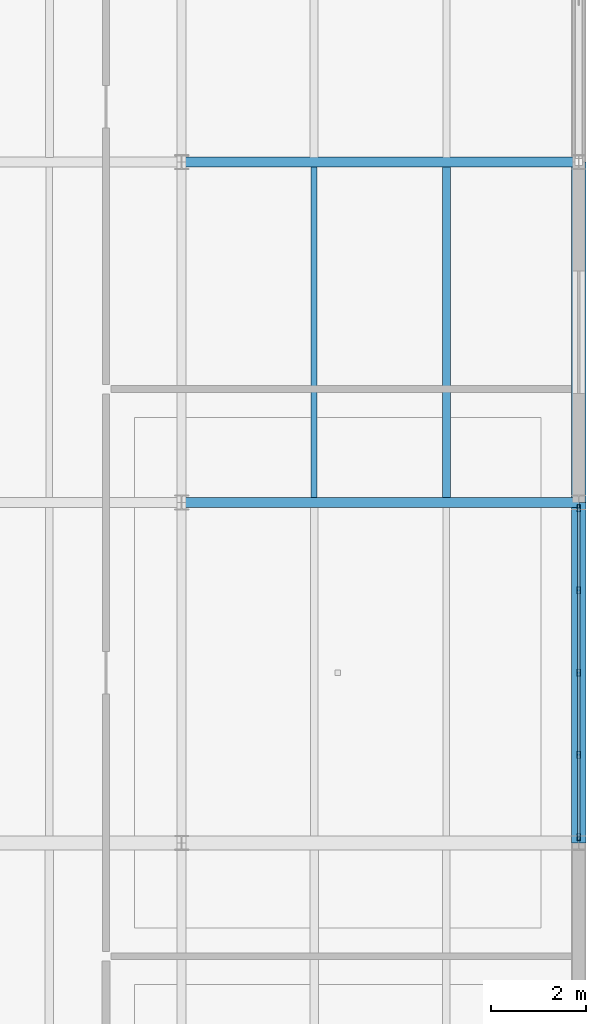
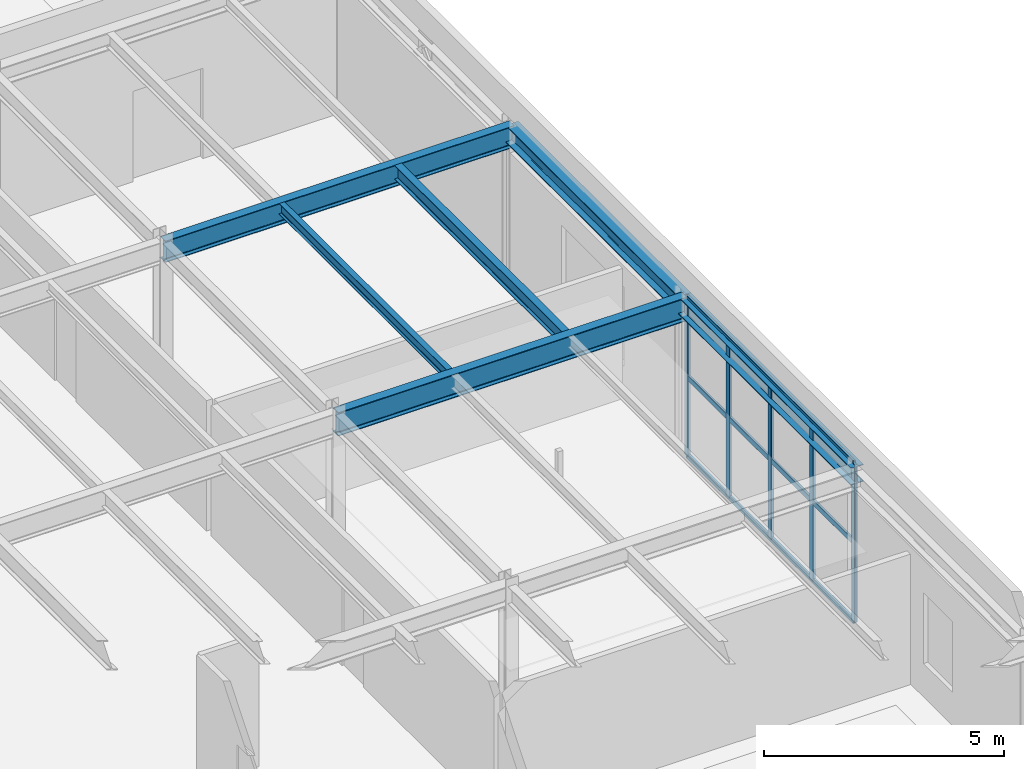
# One storey, part 63 of 77: 8 members, 6 beams, 1 element without a shape of its own.
"""IFC4 building model written with IfcOpenShell, lengths in metres."""

from ifc_helpers import new_model, si_unit, derived_unit, direction, frame, origin, origin_2d, place, context, subcontext, project, spatial, hollow_rectangle, i_section, extrude, material, material_profile, profile_set, type_object, element, aggregate, save


model = new_model("IFC4")

# Units and contexts
model_context = context("Model", 3, precision=1e-05, world=origin(), true_north=direction((0.0, 1.0)))
body_context = subcontext(model_context, "Body", "Model", "MODEL_VIEW")
ifc_project = project(units=[si_unit("LENGTHUNIT", "METRE"), si_unit("AREAUNIT", "SQUARE_METRE"), si_unit("VOLUMEUNIT", "CUBIC_METRE"), si_unit("PLANEANGLEUNIT", "RADIAN"), si_unit("MASSUNIT", "GRAM", prefix="KILO"), derived_unit("THERMALTRANSMITTANCEUNIT", [(si_unit("MASSUNIT", "GRAM", prefix="KILO"), 1), (si_unit("TIMEUNIT", "SECOND"), -3), (si_unit("THERMODYNAMICTEMPERATUREUNIT", "KELVIN"), -1)])], contexts=[model_context])

# Site, building, storey
site_placement = place(None, origin())
site = spatial("IfcSite", under=ifc_project, at=site_placement, CompositionType="ELEMENT")
building_placement = place(site_placement, origin())
building = spatial("IfcBuilding", under=site, at=building_placement, Name="Kharveza Railside Sports Centre", CompositionType="ELEMENT")
storey_placement = place(building_placement, frame((0.0, 0.0, 17.10009765625)))
storey = spatial("IfcBuildingStorey", under=building, at=storey_placement, Name="L04", CompositionType="ELEMENT", Elevation=17.10009765625)

# Beams
ifc_material_1 = material(Name="Steel S355J2", Category="steel")
ifc_material_profile_1 = material_profile(ifc_material_1, i_section(OverallWidth=0.219970703125, OverallDepth=0.60009765625, WebThickness=0.011962890625, FlangeThickness=0.01904296875, FilletRadius=0.02392578125, at=origin_2d()), Name="IPE 600")
ifc_profile_set_1 = profile_set([ifc_material_profile_1], Name="Steel S355J2")
beam_type_1 = type_object("IfcBeamType", Name="BM-G01", PredefinedType="T_BEAM", material=ifc_profile_set_1)
beam_1_placement = place(storey_placement, frame((159.60009765625, 57.60009765625, 3.7099609375), z_axis=(1.0, 0.0, 0.0), x_axis=(0.0, 1.0, 0.0)))
element("IfcBeam", 1, at=beam_1_placement, inside=storey, type_object=beam_type_1, Name="BM-EW-L04-B01-X1596-Y576", PredefinedType="T_BEAM", context=body_context, shape_type="SweptSolid", body=[
    extrude(i_section(OverallWidth=0.219970703125, OverallDepth=0.60009765625, WebThickness=0.011962890625, FlangeThickness=0.01904296875, FilletRadius=0.02392578125, at=origin_2d()), origin(), (0.0, 0.0, 1.0), 8.39990234375),
])
ifc_material_profile_2 = material_profile(ifc_material_1, i_section(OverallWidth=0.2099609375, OverallDepth=0.550048828125, WebThickness=0.010986328125, FlangeThickness=0.01708984375, FilletRadius=0.02392578125, at=origin_2d()), Name="IPE 550")
ifc_profile_set_2 = profile_set([ifc_material_profile_2], Name="Steel S355J2")
beam_type_2 = type_object("IfcBeamType", Name="BM-G02", PredefinedType="T_BEAM", material=ifc_profile_set_2)
beam_2_placement = place(storey_placement, frame((159.60009765625, 64.800048828125, 3.73486328125), z_axis=(1.0, 0.0, 0.0), x_axis=(0.0, 1.0, 0.0)))
element("IfcBeam", 2, at=beam_2_placement, inside=storey, type_object=beam_type_2, Name="BM-EW-L04-B02-X1596-Y648", PredefinedType="T_BEAM", context=body_context, shape_type="SweptSolid", body=[
    extrude(i_section(OverallWidth=0.2099609375, OverallDepth=0.550048828125, WebThickness=0.010986328125, FlangeThickness=0.01708984375, FilletRadius=0.02392578125, at=origin_2d()), origin(), (0.0, 0.0, 1.0), 8.39990234375),
])
ifc_material_profile_3 = material_profile(ifc_material_1, i_section(OverallWidth=0.169921875, OverallDepth=0.360107421875, WebThickness=0.008056640625, FlangeThickness=0.0126953125, FilletRadius=0.01806640625, at=origin_2d()), Name="IPE 360")
ifc_profile_set_3 = profile_set([ifc_material_profile_3], Name="Steel S355J2")
beam_type_3 = type_object("IfcBeamType", Name="BM-S02", PredefinedType="BEAM", material=ifc_profile_set_3)
beam_3_placement = place(storey_placement, frame((165.199951171875, 57.70703125, 3.829833984375), z_axis=(0.0, 1.0, 0.0), x_axis=(-1.0, 0.0, 0.0)))
element("IfcBeam", 3, at=beam_3_placement, inside=storey, type_object=beam_type_3, Name="BM-SEC-L04-B10-X1652-Y576", PredefinedType="BEAM", context=body_context, shape_type="SweptSolid", body=[
    extrude(i_section(OverallWidth=0.169921875, OverallDepth=0.360107421875, WebThickness=0.008056640625, FlangeThickness=0.0126953125, FilletRadius=0.01806640625, at=origin_2d()), origin(), (0.0, 0.0, 1.0), 6.990966796875),
])
ifc_material_profile_4 = material_profile(ifc_material_1, i_section(OverallWidth=0.135009765625, OverallDepth=0.27001953125, WebThickness=0.006591796875, FlangeThickness=0.01025390625, FilletRadius=0.014892578125, at=origin_2d()), Name="IPE 270")
ifc_profile_set_4 = profile_set([ifc_material_profile_4], Name="Steel S355J2")
beam_type_4 = type_object("IfcBeamType", Name="BM-S05", PredefinedType="BEAM", material=ifc_profile_set_4)
beam_4_placement = place(storey_placement, frame((162.39990234375, 57.70703125, 3.875), z_axis=(0.0, 1.0, 0.0), x_axis=(-1.0, 0.0, 0.0)))
element("IfcBeam", 4, at=beam_4_placement, inside=storey, type_object=beam_type_4, Name="BM-SEC-L04-B13-X1624-Y576", PredefinedType="BEAM", context=body_context, shape_type="SweptSolid", body=[
    extrude(i_section(OverallWidth=0.135009765625, OverallDepth=0.27001953125, WebThickness=0.006591796875, FlangeThickness=0.01025390625, FilletRadius=0.014892578125, at=origin_2d()), origin(), (0.0, 0.0, 1.0), 6.990966796875),
])
ifc_material_profile_5 = material_profile(ifc_material_1, i_section(OverallWidth=0.300048828125, OverallDepth=0.43994140625, WebThickness=0.011474609375, FlangeThickness=0.02099609375, FilletRadius=0.027099609375, at=origin_2d()), Name="HEA 450")
ifc_profile_set_5 = profile_set([ifc_material_profile_5], Name="Steel S355J2")
beam_type_5 = type_object("IfcBeamType", Name="BM-SP01", PredefinedType="SPANDREL", material=ifc_profile_set_5)
beam_5_placement = place(storey_placement, frame((168.0, 50.39990234375, 3.789794921875), z_axis=(0.0, 1.0, 0.0), x_axis=(-1.0, 0.0, 0.0)))
element("IfcBeam", 5, at=beam_5_placement, inside=storey, type_object=beam_type_5, Name="BM-NS-L04-B15-X1680-Y504", PredefinedType="SPANDREL", context=body_context, shape_type="SweptSolid", body=[
    extrude(i_section(OverallWidth=0.300048828125, OverallDepth=0.43994140625, WebThickness=0.011474609375, FlangeThickness=0.02099609375, FilletRadius=0.027099609375, at=origin_2d()), origin(), (0.0, 0.0, 1.0), 7.2001953125),
])
beam_6_placement = place(storey_placement, frame((168.0, 57.60009765625, 3.789794921875), z_axis=(0.0, 1.0, 0.0), x_axis=(-1.0, 0.0, 0.0)))
element("IfcBeam", 6, at=beam_6_placement, inside=storey, type_object=beam_type_5, Name="BM-NS-L04-B15-X1680-Y576", PredefinedType="SPANDREL", context=body_context, shape_type="SweptSolid", body=[
    extrude(i_section(OverallWidth=0.300048828125, OverallDepth=0.43994140625, WebThickness=0.011474609375, FlangeThickness=0.02099609375, FilletRadius=0.027099609375, at=origin_2d()), origin(), (0.0, 0.0, 1.0), 7.199951171875),
])

# Curtain wall, members
ifc_material_2 = material(Name="Low-E solar-control laminated glass", Category="glass")
curtain_wall_type = type_object("IfcCurtainWallType", Name="CW-WG04", PredefinedType="NOTDEFINED", material=ifc_material_2)
curtain_wall_placement = place(storey_placement, origin())
curtain_wall = element("IfcCurtainWall", 7, at=curtain_wall_placement, inside=storey, type_object=curtain_wall_type, Name="CW-WG-L04-CW-WG04-X1680-Y540", PredefinedType="NOTDEFINED")
ifc_material_3 = material(Name="Anodised aluminium 6063-T6", Category="aluminium")
ifc_material_profile_6 = material_profile(ifc_material_3, hollow_rectangle(XDim=0.06494140625, YDim=0.14990234375, WallThickness=0.0048828125, InnerFilletRadius=0.0048828125, OuterFilletRadius=0.010009765625, at=origin_2d()), Name="RHS 65x150x5.0")
ifc_profile_set_6 = profile_set([ifc_material_profile_6], Name="Anodised aluminium 6063-T6")
member_type_1 = type_object("IfcMemberType", Name="CW-ML04", PredefinedType="MULLION", material=ifc_profile_set_6)
member_1_placement = place(storey_placement, frame((168.0, 50.52001953125, 0.0), z_axis=(0.0, 0.0, 1.0), x_axis=(1.0, 0.0, 0.0)))
member_1 = element("IfcMember", 8, at=member_1_placement, type_object=member_type_1, Name="CW-WG-L04-CW-WG04-X1680-Y540-ML1", PredefinedType="MULLION", context=body_context, shape_type="SweptSolid", body=[
    extrude(hollow_rectangle(XDim=0.06494140625, YDim=0.14990234375, WallThickness=0.0048828125, InnerFilletRadius=0.0048828125, OuterFilletRadius=0.010009765625, at=origin_2d()), origin(), (0.0, 0.0, 1.0), 4.010009765625),
])
member_2_placement = place(storey_placement, frame((168.0, 52.260009765625, 0.0), z_axis=(0.0, 0.0, 1.0), x_axis=(1.0, 0.0, 0.0)))
member_2 = element("IfcMember", 9, at=member_2_placement, type_object=member_type_1, Name="CW-WG-L04-CW-WG04-X1680-Y540-ML2", PredefinedType="MULLION", context=body_context, shape_type="SweptSolid", body=[
    extrude(hollow_rectangle(XDim=0.06494140625, YDim=0.14990234375, WallThickness=0.0048828125, InnerFilletRadius=0.0048828125, OuterFilletRadius=0.010009765625, at=origin_2d()), origin(), (0.0, 0.0, 1.0), 4.010009765625),
])
member_3_placement = place(storey_placement, frame((168.0, 54.0, 0.0), z_axis=(0.0, 0.0, 1.0), x_axis=(1.0, 0.0, 0.0)))
member_3 = element("IfcMember", 10, at=member_3_placement, type_object=member_type_1, Name="CW-WG-L04-CW-WG04-X1680-Y540-ML3", PredefinedType="MULLION", context=body_context, shape_type="SweptSolid", body=[
    extrude(hollow_rectangle(XDim=0.06494140625, YDim=0.14990234375, WallThickness=0.0048828125, InnerFilletRadius=0.0048828125, OuterFilletRadius=0.010009765625, at=origin_2d()), origin(), (0.0, 0.0, 1.0), 4.010009765625),
])
member_4_placement = place(storey_placement, frame((168.0, 55.739990234375, 0.0), z_axis=(0.0, 0.0, 1.0), x_axis=(1.0, 0.0, 0.0)))
member_4 = element("IfcMember", 11, at=member_4_placement, type_object=member_type_1, Name="CW-WG-L04-CW-WG04-X1680-Y540-ML4", PredefinedType="MULLION", context=body_context, shape_type="SweptSolid", body=[
    extrude(hollow_rectangle(XDim=0.06494140625, YDim=0.14990234375, WallThickness=0.0048828125, InnerFilletRadius=0.0048828125, OuterFilletRadius=0.010009765625, at=origin_2d()), origin(), (0.0, 0.0, 1.0), 4.010009765625),
])
member_5_placement = place(storey_placement, frame((168.0, 57.47998046875, 0.0), z_axis=(0.0, 0.0, 1.0), x_axis=(1.0, 0.0, 0.0)))
member_5 = element("IfcMember", 12, at=member_5_placement, type_object=member_type_1, Name="CW-WG-L04-CW-WG04-X1680-Y540-ML5", PredefinedType="MULLION", context=body_context, shape_type="SweptSolid", body=[
    extrude(hollow_rectangle(XDim=0.06494140625, YDim=0.14990234375, WallThickness=0.0048828125, InnerFilletRadius=0.0048828125, OuterFilletRadius=0.010009765625, at=origin_2d()), origin(), (0.0, 0.0, 1.0), 4.010009765625),
])
ifc_material_profile_7 = material_profile(ifc_material_3, hollow_rectangle(XDim=0.06005859375, YDim=0.139892578125, WallThickness=0.0048828125, InnerFilletRadius=0.0048828125, OuterFilletRadius=0.010009765625, at=origin_2d()), Name="RHS 60x140x5.0")
ifc_profile_set_7 = profile_set([ifc_material_profile_7], Name="Anodised aluminium 6063-T6")
member_type_2 = type_object("IfcMemberType", Name="CW-TR04", PredefinedType="USERDEFINED", material=ifc_profile_set_7)
member_6_placement = place(storey_placement, frame((168.0, 50.52001953125, 0.0), z_axis=(0.0, 1.0, 0.0), x_axis=(-1.0, 0.0, 0.0)))
member_6 = element("IfcMember", 13, at=member_6_placement, type_object=member_type_2, Name="CW-WG-L04-CW-WG04-X1680-Y540-TR1", ObjectType="TRANSOM", PredefinedType="USERDEFINED", context=body_context, shape_type="SweptSolid", body=[
    extrude(hollow_rectangle(XDim=0.06005859375, YDim=0.139892578125, WallThickness=0.0048828125, InnerFilletRadius=0.0048828125, OuterFilletRadius=0.010009765625, at=origin_2d()), origin(), (0.0, 0.0, 1.0), 6.9599609375),
])
member_7_placement = place(storey_placement, frame((168.0, 50.52001953125, 2.0048828125), z_axis=(0.0, 1.0, 0.0), x_axis=(-1.0, 0.0, 0.0)))
member_7 = element("IfcMember", 14, at=member_7_placement, type_object=member_type_2, Name="CW-WG-L04-CW-WG04-X1680-Y540-TR2", ObjectType="TRANSOM", PredefinedType="USERDEFINED", context=body_context, shape_type="SweptSolid", body=[
    extrude(hollow_rectangle(XDim=0.06005859375, YDim=0.139892578125, WallThickness=0.0048828125, InnerFilletRadius=0.0048828125, OuterFilletRadius=0.010009765625, at=origin_2d()), origin(), (0.0, 0.0, 1.0), 6.9599609375),
])
member_8_placement = place(storey_placement, frame((168.0, 50.52001953125, 4.010009765625), z_axis=(0.0, 1.0, 0.0), x_axis=(-1.0, 0.0, 0.0)))
member_8 = element("IfcMember", 15, at=member_8_placement, type_object=member_type_2, Name="CW-WG-L04-CW-WG04-X1680-Y540-TR3", ObjectType="TRANSOM", PredefinedType="USERDEFINED", context=body_context, shape_type="SweptSolid", body=[
    extrude(hollow_rectangle(XDim=0.06005859375, YDim=0.139892578125, WallThickness=0.0048828125, InnerFilletRadius=0.0048828125, OuterFilletRadius=0.010009765625, at=origin_2d()), origin(), (0.0, 0.0, 1.0), 6.9599609375),
])
aggregate(curtain_wall, [member_1, member_2, member_3, member_4, member_5, member_6, member_7, member_8])

save(model, "model.ifc")
